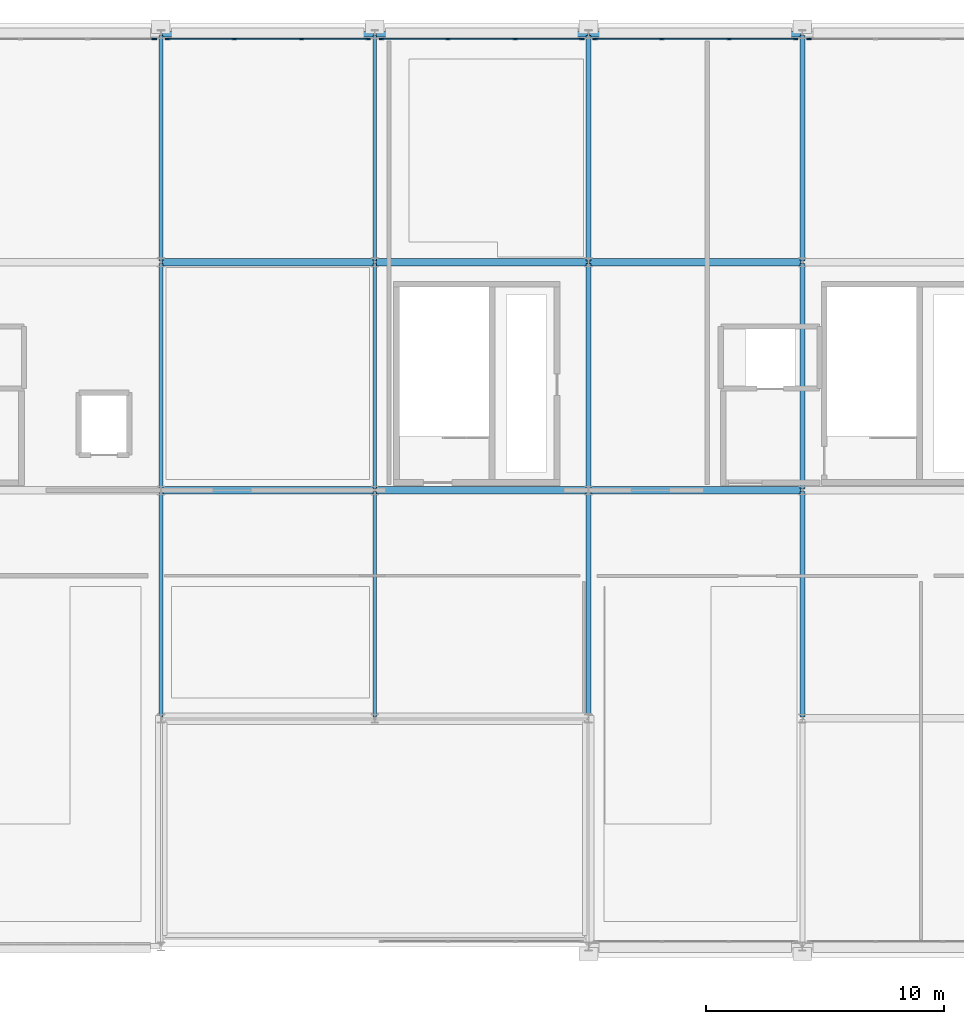
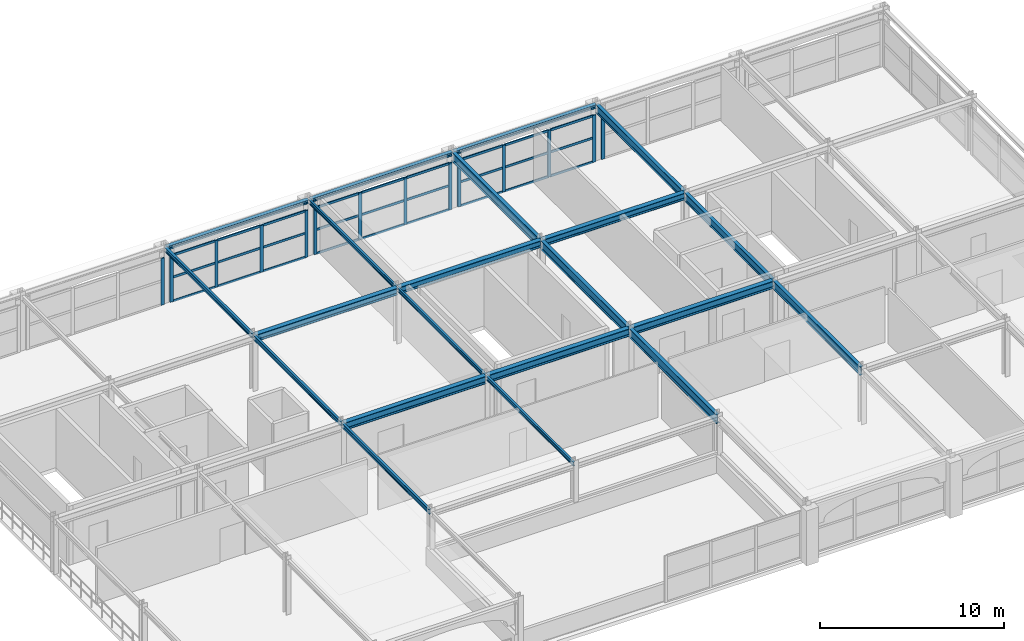
# One storey, part 14 of 25: 41 members, 21 beams, 5 elements without a shape of their own.
"""IFC4 building model written with IfcOpenShell, lengths in metres."""

import ifcopenshell
import ifcopenshell.guid

model = None  # the IFC model being written
_history = None  # IfcOwnerHistory: only IFC2X3 demands one
_inside = {}  # id of a spatial element -> (the spatial element, [elements in it])
_under = {}  # id of a project, library or spatial element -> (it, [spatial elements below it])
_declared = {}  # id of a project -> (the project, [libraries it declares])
_typed = {}  # id of a type object -> (the type object, [elements of that type])
_made_of = {}  # id of a material, layer set ... -> (it, [elements and type objects made of it])


def new_model(schema):
    """Start an empty IFC model of exactly this schema.

    Asked for "IFC4X3", IfcOpenShell would pick the latest addendum, in which some entities
    have other attributes; the version numbers below select the first issue.
    IFC2X3 requires an IfcOwnerHistory on every rooted entity: one is made here for all.
    """
    global model, _history
    if schema == "IFC4X3":
        model = ifcopenshell.file(schema_version=(4, 3, 0, 0))
    else:
        model = ifcopenshell.file(schema=schema)
    _inside.clear()
    _under.clear()
    _declared.clear()
    _typed.clear()
    _made_of.clear()
    _history = None
    if model.schema == "IFC2X3":
        org = make("IfcOrganization", Name="unknown")
        user = make(
            "IfcPersonAndOrganization",
            ThePerson=make("IfcPerson", FamilyName="unknown"),
            TheOrganization=org,
        )
        app = make(
            "IfcApplication",
            ApplicationDeveloper=org,
            Version="unknown",
            ApplicationFullName="unknown",
            ApplicationIdentifier="unknown",
        )
        _history = make(
            "IfcOwnerHistory",
            OwningUser=user,
            OwningApplication=app,
            ChangeAction="ADDED",
            CreationDate=0,
        )
    return model


def make(cls, **values):
    """One entity of the class cls with the attributes given. An attribute that is None is left unset."""
    return model.create_entity(
        cls, **{name: value for name, value in values.items() if value is not None}
    )


def rooted(cls, **values):
    """An entity with a GlobalId (a new one), such as an element, a storey or a relation."""
    return make(cls, GlobalId=ifcopenshell.guid.new(), OwnerHistory=_history, **values)


def si_unit(unit_type, name, prefix=None):
    """IfcSIUnit, for example si_unit("LENGTHUNIT", "METRE", prefix="MILLI")."""
    return make("IfcSIUnit", UnitType=unit_type, Prefix=prefix, Name=name)


def assignment(units):
    """IfcUnitAssignment: the units of a project."""
    return None if units is None else make("IfcUnitAssignment", Units=units)


def point(xyz):
    """IfcCartesianPoint."""
    return None if xyz is None else make("IfcCartesianPoint", Coordinates=xyz)


def direction(xyz):
    """IfcDirection."""
    return None if xyz is None else make("IfcDirection", DirectionRatios=xyz)


def frame(location, z_axis=None, x_axis=None):
    """IfcAxis2Placement3D, a coordinate frame: its origin and axes. An axis left out is left unset."""
    return make(
        "IfcAxis2Placement3D",
        Location=point(location),
        Axis=direction(z_axis),
        RefDirection=direction(x_axis),
    )


def frame_2d(location, x_axis=None):
    """IfcAxis2Placement2D, a coordinate frame in the plane: its origin and x axis."""
    return make(
        "IfcAxis2Placement2D", Location=point(location), RefDirection=direction(x_axis)
    )


def origin():
    """The frame at (0, 0, 0) with its axes left unset."""
    return frame((0.0, 0.0, 0.0))


def origin_2d():
    """The frame at (0, 0) in the plane with its x axis left unset."""
    return frame_2d((0.0, 0.0))


def place(relative_to, where):
    """IfcLocalPlacement: puts the frame where relative to a parent placement (None: the world)."""
    return make(
        "IfcLocalPlacement", PlacementRelTo=relative_to, RelativePlacement=where
    )


def context(
    kind, dimensions, precision=None, world=None, true_north=None, identifier=None
):
    """IfcGeometricRepresentationContext, for example the 3D "Model" context."""
    return make(
        "IfcGeometricRepresentationContext",
        ContextIdentifier=identifier,
        ContextType=kind,
        CoordinateSpaceDimension=dimensions,
        Precision=precision,
        WorldCoordinateSystem=world,
        TrueNorth=true_north,
    )


def subcontext(parent, identifier, kind, view, scale=None):
    """IfcGeometricRepresentationSubContext, for example "Body" below "Model"."""
    return make(
        "IfcGeometricRepresentationSubContext",
        ContextIdentifier=identifier,
        ContextType=kind,
        ParentContext=parent,
        TargetScale=scale,
        TargetView=view,
    )


def project(units=None, contexts=None):
    """IfcProject with its units and contexts."""
    return rooted(
        "IfcProject",
        Name="project",
        RepresentationContexts=contexts,
        UnitsInContext=assignment(units),
    )


def spatial(cls, under=None, at=None, **own):
    """A site, building, storey or space (cls), placed at a placement, below another one or the project."""
    s = rooted(cls, ObjectPlacement=at, **own)
    if under is not None:
        _under.setdefault(under.id(), (under, []))[1].append(s)
    return s


def profile(cls, at=None, kind="AREA", **sizes):
    """A parametric profile (cls). Its sizes go by their IFC names, for example OverallWidth=200.0."""
    return make(cls, ProfileType=kind, Position=at, **sizes)


def rectangle(**sizes):
    """IfcRectangleProfileDef."""
    return profile("IfcRectangleProfileDef", **sizes)


def i_section(**sizes):
    """IfcIShapeProfileDef."""
    return profile("IfcIShapeProfileDef", **sizes)


def extrude(swept, where, along, depth):
    """IfcExtrudedAreaSolid: the profile swept, set in the frame where, extruded along a direction by depth."""
    return make(
        "IfcExtrudedAreaSolid",
        SweptArea=swept,
        Position=where,
        ExtrudedDirection=direction(along),
        Depth=depth,
    )


def shape(context_of_items, identifier, shape_type, items):
    """IfcShapeRepresentation: the items that make up one representation, for example the "Body"."""
    return make(
        "IfcShapeRepresentation",
        ContextOfItems=context_of_items,
        RepresentationIdentifier=identifier,
        RepresentationType=shape_type,
        Items=items,
    )


def material(Name=None, Category=None):
    """IfcMaterial."""
    return make("IfcMaterial", Name=Name, Category=Category)


def layer(
    of_material, thickness, ventilated=None, Name=None, Category=None, Priority=None
):
    """IfcMaterialLayer: one layer of a wall or slab, of a material (None: an air gap)."""
    return make(
        "IfcMaterialLayer",
        Material=of_material,
        LayerThickness=thickness,
        IsVentilated=ventilated,
        Name=Name,
        Category=Category,
        Priority=Priority,
    )


def layer_set(layers, Name=None):
    """IfcMaterialLayerSet."""
    return make("IfcMaterialLayerSet", MaterialLayers=layers, LayerSetName=Name)


def material_profile(
    of_material, cross_section, Name=None, Category=None, Priority=None
):
    """IfcMaterialProfile: a cross section and its material."""
    return make(
        "IfcMaterialProfile",
        Name=Name,
        Material=of_material,
        Profile=cross_section,
        Priority=Priority,
        Category=Category,
    )


def profile_set(profiles, Name=None, composite=None):
    """IfcMaterialProfileSet."""
    return make(
        "IfcMaterialProfileSet",
        Name=Name,
        MaterialProfiles=profiles,
        CompositeProfile=composite,
    )


def made_of(thing, what):
    """Note that an element or type object is made of a material, layer set ...; save() writes the relation."""
    if what is not None:
        _made_of.setdefault(what.id(), (what, []))[1].append(thing)
    return thing


def type_object(cls, material=None, **own):
    """A type object (cls), such as IfcWallType, which elements share."""
    return made_of(rooted(cls, **own), material)


def element(
    cls,
    number,
    at=None,
    inside=None,
    cuts=None,
    type_object=None,
    material=None,
    context=None,
    identifier="Body",
    shape_type=None,
    held_by="IfcProductDefinitionShape",
    body=None,
    shapes=None,
    **own,
):
    """One element of the class cls, such as IfcWall. Its Tag is "e" and its number.

    at: its placement. inside: the storey or other place that contains it. cuts: it is an
    opening in that element (IfcRelVoidsElement). A single representation is given by context,
    identifier, shape_type and body (its items); several are given by shapes. held_by: the class
    of the entity that holds the representations. save() writes the other relations.
    """
    e = rooted(cls, Tag="e%d" % number, ObjectPlacement=at, **own)
    if body is not None:
        shapes = [shape(context, identifier, shape_type, body)]
    if shapes is not None:
        e.Representation = make(held_by, Representations=shapes)
    if inside is not None:
        _inside.setdefault(inside.id(), (inside, []))[1].append(e)
    if cuts is not None:
        rooted(
            "IfcRelVoidsElement", RelatingBuildingElement=cuts, RelatedOpeningElement=e
        )
    if type_object is not None:
        _typed.setdefault(type_object.id(), (type_object, []))[1].append(e)
    return made_of(e, material)


def aggregate(whole, parts):
    """IfcRelAggregates: a whole, such as a stair, and the parts it consists of."""
    return rooted("IfcRelAggregates", RelatingObject=whole, RelatedObjects=parts)


def save(model, path):
    """Write the relations noted so far, then the file.

    IfcRelAggregates (storeys below a building ...), IfcRelContainedInSpatialStructure (elements
    in a storey), IfcRelDefinesByType, IfcRelAssociatesMaterial and IfcRelDeclares: one each for
    every whole, place, type object, material and project.
    """
    for whole, parts in _under.values():
        aggregate(whole, parts)
    for where, things in _inside.values():
        rooted(
            "IfcRelContainedInSpatialStructure",
            RelatedElements=things,
            RelatingStructure=where,
        )
    for kind, things in _typed.values():
        rooted("IfcRelDefinesByType", RelatedObjects=things, RelatingType=kind)
    for what, things in _made_of.values():
        rooted("IfcRelAssociatesMaterial", RelatedObjects=things, RelatingMaterial=what)
    for by, libraries in _declared.values():
        rooted("IfcRelDeclares", RelatingContext=by, RelatedDefinitions=libraries)
    model.write(path)


model = new_model("IFC4")

# Units and contexts
model_context = context("Model", 3, precision=1e-05, world=origin(), true_north=direction((0.0, 1.0)))
body_context = subcontext(model_context, "Body", "Model", "MODEL_VIEW")
ifc_project = project(units=[si_unit("LENGTHUNIT", "METRE"), si_unit("AREAUNIT", "SQUARE_METRE"), si_unit("VOLUMEUNIT", "CUBIC_METRE"), si_unit("PLANEANGLEUNIT", "RADIAN"), si_unit("MASSUNIT", "GRAM", prefix="KILO")], contexts=[model_context])

# Site, building, storey
site_placement = place(None, origin())
site = spatial("IfcSite", under=ifc_project, at=site_placement, CompositionType="ELEMENT")
building_placement = place(site_placement, origin())
building = spatial("IfcBuilding", under=site, at=building_placement, Name="Myrtia Square Station", CompositionType="ELEMENT")
storey_placement = place(building_placement, frame((0.0, 0.0, 18.89990234375)))
storey = spatial("IfcBuildingStorey", under=building, at=storey_placement, Name="L04", CompositionType="ELEMENT", Elevation=18.89990234375)

# Beams
ifc_material_1 = material(Name="Steel S355", Category="steel")
ifc_material_profile_1 = material_profile(ifc_material_1, i_section(OverallWidth=0.300048828125, OverallDepth=0.449951171875, WebThickness=0.013916015625, FlangeThickness=0.02587890625, FilletRadius=0.027099609375, at=origin_2d()), Name="HEB 450")
ifc_profile_set_1 = profile_set([ifc_material_profile_1], Name="Steel S355")
beam_type_1 = type_object("IfcBeamType", Name="BM-HEB450", PredefinedType="BEAM", material=ifc_profile_set_1)
for number, where, z_axis, x_axis, name in (
    (1, (144.050048828125, 115.199951171875, 3.43017578125), (1.0, 0.0, 0.0), (0.0, 1.0, 0.0), "Structural girder BMX-L04-0889"),
    (2, (153.050048828125, 115.199951171875, 3.43017578125), (1.0, 0.0, 0.0), (0.0, 1.0, 0.0), "Structural girder BMX-L04-0890"),
    (3, (162.050048828125, 115.199951171875, 3.43017578125), (1.0, 0.0, 0.0), (0.0, 1.0, 0.0), "Structural girder BMX-L04-0891"),
):
    element("IfcBeam", number, at=place(storey_placement, frame(where, z_axis=z_axis, x_axis=x_axis)), inside=storey, type_object=beam_type_1, Name=name, PredefinedType="BEAM", context=body_context, shape_type="SweptSolid", body=[
        extrude(i_section(OverallWidth=0.300048828125, OverallDepth=0.449951171875, WebThickness=0.013916015625, FlangeThickness=0.02587890625, FilletRadius=0.027099609375, at=origin_2d()), origin(), (0.0, 0.0, 1.0), 8.89990234375),
    ])
ifc_material_profile_2 = material_profile(ifc_material_1, i_section(OverallWidth=0.300048828125, OverallDepth=0.5, WebThickness=0.014404296875, FlangeThickness=0.028076171875, FilletRadius=0.027099609375, at=origin_2d()), Name="HEB 500")
ifc_profile_set_2 = profile_set([ifc_material_profile_2], Name="Steel S355")
beam_type_2 = type_object("IfcBeamType", Name="BM-HEB500", PredefinedType="BEAM", material=ifc_profile_set_2)
for number, where, z_axis, x_axis, name in (
    (4, (144.050048828125, 105.60009765625, 3.405029296875), (1.0, 0.0, 0.0), (0.0, 1.0, 0.0), "Structural girder BMX-L04-0882"),
    (5, (153.050048828125, 105.60009765625, 3.405029296875), (1.0, 0.0, 0.0), (0.0, 1.0, 0.0), "Structural girder BMX-L04-0883"),
    (6, (162.050048828125, 105.60009765625, 3.405029296875), (1.0, 0.0, 0.0), (0.0, 1.0, 0.0), "Structural girder BMX-L04-0884"),
):
    element("IfcBeam", number, at=place(storey_placement, frame(where, z_axis=z_axis, x_axis=x_axis)), inside=storey, type_object=beam_type_2, Name=name, PredefinedType="BEAM", context=body_context, shape_type="SweptSolid", body=[
        extrude(i_section(OverallWidth=0.300048828125, OverallDepth=0.5, WebThickness=0.014404296875, FlangeThickness=0.028076171875, FilletRadius=0.027099609375, at=origin_2d()), origin(), (0.0, 0.0, 1.0), 8.89990234375),
    ])
ifc_material_profile_3 = material_profile(ifc_material_1, i_section(OverallWidth=0.135009765625, OverallDepth=0.27001953125, WebThickness=0.006591796875, FlangeThickness=0.01025390625, FilletRadius=0.014892578125, at=origin_2d()), Name="IPE 270")
ifc_profile_set_3 = profile_set([ifc_material_profile_3], Name="Steel S355")
beam_type_3 = type_object("IfcBeamType", Name="BM-IPE270", PredefinedType="BEAM", material=ifc_profile_set_3)
for number, where, z_axis, x_axis, name in (
    (7, (153.0, 96.050048828125, 3.52001953125), (0.0, 1.0, 0.0), (-1.0, 0.0, 0.0), "Structural girder BMY-L04-0906"),
    (8, (153.0, 105.64990234375, 3.52001953125), (0.0, 1.0, 0.0), (-1.0, 0.0, 0.0), "Structural girder BMY-L04-0907"),
    (9, (153.0, 115.25, 3.52001953125), (0.0, 1.0, 0.0), (-1.0, 0.0, 0.0), "Structural girder BMY-L04-0908"),
):
    element("IfcBeam", number, at=place(storey_placement, frame(where, z_axis=z_axis, x_axis=x_axis)), inside=storey, type_object=beam_type_3, Name=name, PredefinedType="BEAM", context=body_context, shape_type="SweptSolid", body=[
        extrude(i_section(OverallWidth=0.135009765625, OverallDepth=0.27001953125, WebThickness=0.006591796875, FlangeThickness=0.01025390625, FilletRadius=0.014892578125, at=origin_2d()), origin(), (0.0, 0.0, 1.0), 9.5),
    ])
ifc_material_profile_4 = material_profile(ifc_material_1, i_section(OverallWidth=0.14990234375, OverallDepth=0.300048828125, WebThickness=0.007080078125, FlangeThickness=0.0107421875, FilletRadius=0.014892578125, at=origin_2d()), Name="IPE 300")
ifc_profile_set_4 = profile_set([ifc_material_profile_4], Name="Steel S355")
beam_type_4 = type_object("IfcBeamType", Name="BM-IPE300", PredefinedType="BEAM", material=ifc_profile_set_4)
for number, where, z_axis, x_axis, name in (
    (10, (144.0, 96.050048828125, 3.505126953125), (0.0, 1.0, 0.0), (-1.0, 0.0, 0.0), "Structural girder BMY-L04-0903"),
    (11, (144.0, 105.64990234375, 3.505126953125), (0.0, 1.0, 0.0), (-1.0, 0.0, 0.0), "Structural girder BMY-L04-0904"),
    (12, (144.0, 115.25, 3.505126953125), (0.0, 1.0, 0.0), (-1.0, 0.0, 0.0), "Structural girder BMY-L04-0905"),
):
    element("IfcBeam", number, at=place(storey_placement, frame(where, z_axis=z_axis, x_axis=x_axis)), inside=storey, type_object=beam_type_4, Name=name, PredefinedType="BEAM", context=body_context, shape_type="SweptSolid", body=[
        extrude(i_section(OverallWidth=0.14990234375, OverallDepth=0.300048828125, WebThickness=0.007080078125, FlangeThickness=0.0107421875, FilletRadius=0.014892578125, at=origin_2d()), origin(), (0.0, 0.0, 1.0), 9.5),
    ])
ifc_material_profile_5 = material_profile(ifc_material_1, i_section(OverallWidth=0.2099609375, OverallDepth=0.550048828125, WebThickness=0.010986328125, FlangeThickness=0.01708984375, FilletRadius=0.02392578125, at=origin_2d()), Name="IPE 550")
ifc_profile_set_5 = profile_set([ifc_material_profile_5], Name="Steel S355")
beam_type_5 = type_object("IfcBeamType", Name="BM-IPE550", PredefinedType="BEAM", material=ifc_profile_set_5)
for number, where, z_axis, x_axis, name in (
    (13, (171.0, 96.050048828125, 3.380126953125), (0.0, 1.0, 0.0), (-1.0, 0.0, 0.0), "Structural girder BMY-L04-0914"),
    (14, (171.0, 105.64990234375, 3.380126953125), (0.0, 1.0, 0.0), (-1.0, 0.0, 0.0), "Structural girder BMY-L04-0915"),
    (15, (171.0, 115.25, 3.380126953125), (0.0, 1.0, 0.0), (-1.0, 0.0, 0.0), "Structural girder BMY-L04-0916"),
):
    element("IfcBeam", number, at=place(storey_placement, frame(where, z_axis=z_axis, x_axis=x_axis)), inside=storey, type_object=beam_type_5, Name=name, PredefinedType="BEAM", context=body_context, shape_type="SweptSolid", body=[
        extrude(i_section(OverallWidth=0.2099609375, OverallDepth=0.550048828125, WebThickness=0.010986328125, FlangeThickness=0.01708984375, FilletRadius=0.02392578125, at=origin_2d()), origin(), (0.0, 0.0, 1.0), 9.5),
    ])
ifc_material_profile_6 = material_profile(ifc_material_1, i_section(OverallWidth=0.219970703125, OverallDepth=0.60009765625, WebThickness=0.011962890625, FlangeThickness=0.01904296875, FilletRadius=0.02392578125, at=origin_2d()), Name="IPE 600")
ifc_profile_set_6 = profile_set([ifc_material_profile_6], Name="Steel S355")
beam_type_6 = type_object("IfcBeamType", Name="BM-IPE600", PredefinedType="BEAM", material=ifc_profile_set_6)
for number, where, z_axis, x_axis, name in (
    (16, (162.0, 96.050048828125, 3.35498046875), (0.0, 1.0, 0.0), (-1.0, 0.0, 0.0), "Structural girder BMY-L04-0910"),
    (17, (162.0, 105.64990234375, 3.35498046875), (0.0, 1.0, 0.0), (-1.0, 0.0, 0.0), "Structural girder BMY-L04-0911"),
    (18, (162.0, 115.25, 3.35498046875), (0.0, 1.0, 0.0), (-1.0, 0.0, 0.0), "Structural girder BMY-L04-0912"),
):
    element("IfcBeam", number, at=place(storey_placement, frame(where, z_axis=z_axis, x_axis=x_axis)), inside=storey, type_object=beam_type_6, Name=name, PredefinedType="BEAM", context=body_context, shape_type="SweptSolid", body=[
        extrude(i_section(OverallWidth=0.219970703125, OverallDepth=0.60009765625, WebThickness=0.011962890625, FlangeThickness=0.01904296875, FilletRadius=0.02392578125, at=origin_2d()), origin(), (0.0, 0.0, 1.0), 9.5),
    ])

# Curtain wall, member
ifc_material_2 = material(Name="Dark bronze anodised aluminium", Category="aluminium")
ifc_layer = layer(ifc_material_2, 0.159912109375, Name="Dark bronze anodised aluminium")
ifc_layer_set = layer_set([ifc_layer], Name="Dark bronze anodised aluminium")
curtain_wall_type = type_object("IfcCurtainWallType", Name="CW-TYPE-42-850x310", PredefinedType="USERDEFINED", material=ifc_layer_set)
curtain_wall_1_placement = place(storey_placement, origin())
curtain_wall_1 = element("IfcCurtainWall", 19, at=curtain_wall_1_placement, inside=storey, type_object=curtain_wall_type, Name="Concourse curtain wall CW-L04-126", ObjectType="CONCOURSE CURTAIN WALL", PredefinedType="USERDEFINED")
ifc_material_profile_7 = material_profile(ifc_material_2, rectangle(XDim=0.06494140625, YDim=0.199951171875, at=origin_2d()), Name="ALU-M 65x200")
ifc_profile_set_7 = profile_set([ifc_material_profile_7], Name="Dark bronze anodised aluminium")
member_type_1 = type_object("IfcMemberType", Name="CWM-65x200", PredefinedType="MULLION", material=ifc_profile_set_7)
member_1_placement = place(storey_placement, frame((143.717529296875, 124.60009765625, 0.0), z_axis=(0.0, 0.0, 1.0), x_axis=(0.0, 1.0, 0.0)))
member_1 = element("IfcMember", 20, at=member_1_placement, type_object=member_type_1, Name="CW-126 mullion 4", PredefinedType="MULLION", context=body_context, shape_type="SweptSolid", body=[
    extrude(rectangle(XDim=0.06494140625, YDim=0.199951171875, at=origin_2d()), origin(), (0.0, 0.0, 1.0), 3.10009765625),
])
aggregate(curtain_wall_1, [member_1])

# Curtain wall, members
curtain_wall_2_placement = place(storey_placement, origin())
curtain_wall_2 = element("IfcCurtainWall", 21, at=curtain_wall_2_placement, inside=storey, type_object=curtain_wall_type, Name="Concourse curtain wall CW-L04-130", ObjectType="CONCOURSE CURTAIN WALL", PredefinedType="USERDEFINED")
member_2_placement = place(storey_placement, frame((144.282470703125, 124.60009765625, 0.0), z_axis=(0.0, 0.0, 1.0), x_axis=(0.0, 1.0, 0.0)))
member_2 = element("IfcMember", 22, at=member_2_placement, type_object=member_type_1, Name="CW-130 mullion 1", PredefinedType="MULLION", context=body_context, shape_type="SweptSolid", body=[
    extrude(rectangle(XDim=0.06494140625, YDim=0.199951171875, at=origin_2d()), origin(), (0.0, 0.0, 1.0), 3.10009765625),
])
member_3_placement = place(storey_placement, frame((147.083251953125, 124.60009765625, 0.0), z_axis=(0.0, 0.0, 1.0), x_axis=(0.0, 1.0, 0.0)))
member_3 = element("IfcMember", 23, at=member_3_placement, type_object=member_type_1, Name="CW-130 mullion 2", PredefinedType="MULLION", context=body_context, shape_type="SweptSolid", body=[
    extrude(rectangle(XDim=0.06494140625, YDim=0.199951171875, at=origin_2d()), origin(), (0.0, 0.0, 1.0), 3.10009765625),
])
member_4_placement = place(storey_placement, frame((149.916748046875, 124.60009765625, 0.0), z_axis=(0.0, 0.0, 1.0), x_axis=(0.0, 1.0, 0.0)))
member_4 = element("IfcMember", 24, at=member_4_placement, type_object=member_type_1, Name="CW-130 mullion 3", PredefinedType="MULLION", context=body_context, shape_type="SweptSolid", body=[
    extrude(rectangle(XDim=0.06494140625, YDim=0.199951171875, at=origin_2d()), origin(), (0.0, 0.0, 1.0), 3.10009765625),
])
member_5_placement = place(storey_placement, frame((152.717529296875, 124.60009765625, 0.0), z_axis=(0.0, 0.0, 1.0), x_axis=(0.0, 1.0, 0.0)))
member_5 = element("IfcMember", 25, at=member_5_placement, type_object=member_type_1, Name="CW-130 mullion 4", PredefinedType="MULLION", context=body_context, shape_type="SweptSolid", body=[
    extrude(rectangle(XDim=0.06494140625, YDim=0.199951171875, at=origin_2d()), origin(), (0.0, 0.0, 1.0), 3.10009765625),
])

curtain_wall_3_placement = place(storey_placement, origin())
curtain_wall_3 = element("IfcCurtainWall", 26, at=curtain_wall_3_placement, inside=storey, type_object=curtain_wall_type, Name="Concourse curtain wall CW-L04-134", ObjectType="CONCOURSE CURTAIN WALL", PredefinedType="USERDEFINED")
member_6_placement = place(storey_placement, frame((153.282470703125, 124.60009765625, 0.0), z_axis=(0.0, 0.0, 1.0), x_axis=(0.0, 1.0, 0.0)))
member_6 = element("IfcMember", 27, at=member_6_placement, type_object=member_type_1, Name="CW-134 mullion 1", PredefinedType="MULLION", context=body_context, shape_type="SweptSolid", body=[
    extrude(rectangle(XDim=0.06494140625, YDim=0.199951171875, at=origin_2d()), origin(), (0.0, 0.0, 1.0), 3.10009765625),
])
member_7_placement = place(storey_placement, frame((156.083251953125, 124.60009765625, 0.0), z_axis=(0.0, 0.0, 1.0), x_axis=(0.0, 1.0, 0.0)))
member_7 = element("IfcMember", 28, at=member_7_placement, type_object=member_type_1, Name="CW-134 mullion 2", PredefinedType="MULLION", context=body_context, shape_type="SweptSolid", body=[
    extrude(rectangle(XDim=0.06494140625, YDim=0.199951171875, at=origin_2d()), origin(), (0.0, 0.0, 1.0), 3.10009765625),
])
member_8_placement = place(storey_placement, frame((158.916748046875, 124.60009765625, 0.0), z_axis=(0.0, 0.0, 1.0), x_axis=(0.0, 1.0, 0.0)))
member_8 = element("IfcMember", 29, at=member_8_placement, type_object=member_type_1, Name="CW-134 mullion 3", PredefinedType="MULLION", context=body_context, shape_type="SweptSolid", body=[
    extrude(rectangle(XDim=0.06494140625, YDim=0.199951171875, at=origin_2d()), origin(), (0.0, 0.0, 1.0), 3.10009765625),
])
member_9_placement = place(storey_placement, frame((161.717529296875, 124.60009765625, 0.0), z_axis=(0.0, 0.0, 1.0), x_axis=(0.0, 1.0, 0.0)))
member_9 = element("IfcMember", 30, at=member_9_placement, type_object=member_type_1, Name="CW-134 mullion 4", PredefinedType="MULLION", context=body_context, shape_type="SweptSolid", body=[
    extrude(rectangle(XDim=0.06494140625, YDim=0.199951171875, at=origin_2d()), origin(), (0.0, 0.0, 1.0), 3.10009765625),
])

curtain_wall_4_placement = place(storey_placement, origin())
curtain_wall_4 = element("IfcCurtainWall", 31, at=curtain_wall_4_placement, inside=storey, type_object=curtain_wall_type, Name="Concourse curtain wall CW-L04-139", ObjectType="CONCOURSE CURTAIN WALL", PredefinedType="USERDEFINED")
member_10_placement = place(storey_placement, frame((162.282470703125, 124.60009765625, 0.0), z_axis=(0.0, 0.0, 1.0), x_axis=(0.0, 1.0, 0.0)))
member_10 = element("IfcMember", 32, at=member_10_placement, type_object=member_type_1, Name="CW-139 mullion 1", PredefinedType="MULLION", context=body_context, shape_type="SweptSolid", body=[
    extrude(rectangle(XDim=0.06494140625, YDim=0.199951171875, at=origin_2d()), origin(), (0.0, 0.0, 1.0), 3.10009765625),
])
member_11_placement = place(storey_placement, frame((165.083251953125, 124.60009765625, 0.0), z_axis=(0.0, 0.0, 1.0), x_axis=(0.0, 1.0, 0.0)))
member_11 = element("IfcMember", 33, at=member_11_placement, type_object=member_type_1, Name="CW-139 mullion 2", PredefinedType="MULLION", context=body_context, shape_type="SweptSolid", body=[
    extrude(rectangle(XDim=0.06494140625, YDim=0.199951171875, at=origin_2d()), origin(), (0.0, 0.0, 1.0), 3.10009765625),
])
member_12_placement = place(storey_placement, frame((167.916748046875, 124.60009765625, 0.0), z_axis=(0.0, 0.0, 1.0), x_axis=(0.0, 1.0, 0.0)))
member_12 = element("IfcMember", 34, at=member_12_placement, type_object=member_type_1, Name="CW-139 mullion 3", PredefinedType="MULLION", context=body_context, shape_type="SweptSolid", body=[
    extrude(rectangle(XDim=0.06494140625, YDim=0.199951171875, at=origin_2d()), origin(), (0.0, 0.0, 1.0), 3.10009765625),
])
member_13_placement = place(storey_placement, frame((170.717529296875, 124.60009765625, 0.0), z_axis=(0.0, 0.0, 1.0), x_axis=(0.0, 1.0, 0.0)))
member_13 = element("IfcMember", 35, at=member_13_placement, type_object=member_type_1, Name="CW-139 mullion 4", PredefinedType="MULLION", context=body_context, shape_type="SweptSolid", body=[
    extrude(rectangle(XDim=0.06494140625, YDim=0.199951171875, at=origin_2d()), origin(), (0.0, 0.0, 1.0), 3.10009765625),
])

# Curtain wall, member
curtain_wall_5_placement = place(storey_placement, origin())
curtain_wall_5 = element("IfcCurtainWall", 36, at=curtain_wall_5_placement, inside=storey, type_object=curtain_wall_type, Name="Concourse curtain wall CW-L04-144", ObjectType="CONCOURSE CURTAIN WALL", PredefinedType="USERDEFINED")
member_14_placement = place(storey_placement, frame((171.282470703125, 124.60009765625, 0.0), z_axis=(0.0, 0.0, 1.0), x_axis=(0.0, 1.0, 0.0)))
member_14 = element("IfcMember", 37, at=member_14_placement, type_object=member_type_1, Name="CW-144 mullion 1", PredefinedType="MULLION", context=body_context, shape_type="SweptSolid", body=[
    extrude(rectangle(XDim=0.06494140625, YDim=0.199951171875, at=origin_2d()), origin(), (0.0, 0.0, 1.0), 3.10009765625),
])
aggregate(curtain_wall_5, [member_14])

# Member
ifc_material_profile_8 = material_profile(ifc_material_2, rectangle(XDim=0.06494140625, YDim=0.14990234375, at=origin_2d()), Name="ALU-T 65x150")
ifc_profile_set_8 = profile_set([ifc_material_profile_8], Name="Dark bronze anodised aluminium")
member_type_2 = type_object("IfcMemberType", Name="CWT-65x150", PredefinedType="USERDEFINED", material=ifc_profile_set_8)
member_15_placement = place(storey_placement, frame((144.31494140625, 124.60009765625, 0.03271484375), z_axis=(1.0, 0.0, 0.0), x_axis=(0.0, 1.0, 0.0)))
member_15 = element("IfcMember", 38, at=member_15_placement, type_object=member_type_2, Name="CW-130 transom 1.1", ObjectType="TRANSOM", PredefinedType="USERDEFINED", context=body_context, shape_type="SweptSolid", body=[
    extrude(rectangle(XDim=0.06494140625, YDim=0.14990234375, at=origin_2d()), origin(), (0.0, 0.0, 1.0), 2.73583984375),
])

member_16_placement = place(storey_placement, frame((144.31494140625, 124.60009765625, 1.612060546875), z_axis=(1.0, 0.0, 0.0), x_axis=(0.0, 1.0, 0.0)))
member_16 = element("IfcMember", 39, at=member_16_placement, type_object=member_type_2, Name="CW-130 transom 1.2", ObjectType="TRANSOM", PredefinedType="USERDEFINED", context=body_context, shape_type="SweptSolid", body=[
    extrude(rectangle(XDim=0.06494140625, YDim=0.14990234375, at=origin_2d()), origin(), (0.0, 0.0, 1.0), 2.73583984375),
])

member_17_placement = place(storey_placement, frame((144.31494140625, 124.60009765625, 3.067626953125), z_axis=(1.0, 0.0, 0.0), x_axis=(0.0, 1.0, 0.0)))
member_17 = element("IfcMember", 40, at=member_17_placement, type_object=member_type_2, Name="CW-130 transom 1.3", ObjectType="TRANSOM", PredefinedType="USERDEFINED", context=body_context, shape_type="SweptSolid", body=[
    extrude(rectangle(XDim=0.06494140625, YDim=0.14990234375, at=origin_2d()), origin(), (0.0, 0.0, 1.0), 2.73583984375),
])

member_18_placement = place(storey_placement, frame((147.11572265625, 124.60009765625, 0.03271484375), z_axis=(1.0, 0.0, 0.0), x_axis=(0.0, 1.0, 0.0)))
member_18 = element("IfcMember", 41, at=member_18_placement, type_object=member_type_2, Name="CW-130 transom 2.1", ObjectType="TRANSOM", PredefinedType="USERDEFINED", context=body_context, shape_type="SweptSolid", body=[
    extrude(rectangle(XDim=0.06494140625, YDim=0.14990234375, at=origin_2d()), origin(), (0.0, 0.0, 1.0), 2.7685546875),
])

member_19_placement = place(storey_placement, frame((147.11572265625, 124.60009765625, 1.612060546875), z_axis=(1.0, 0.0, 0.0), x_axis=(0.0, 1.0, 0.0)))
member_19 = element("IfcMember", 42, at=member_19_placement, type_object=member_type_2, Name="CW-130 transom 2.2", ObjectType="TRANSOM", PredefinedType="USERDEFINED", context=body_context, shape_type="SweptSolid", body=[
    extrude(rectangle(XDim=0.06494140625, YDim=0.14990234375, at=origin_2d()), origin(), (0.0, 0.0, 1.0), 2.7685546875),
])

member_20_placement = place(storey_placement, frame((147.11572265625, 124.60009765625, 3.067626953125), z_axis=(1.0, 0.0, 0.0), x_axis=(0.0, 1.0, 0.0)))
member_20 = element("IfcMember", 43, at=member_20_placement, type_object=member_type_2, Name="CW-130 transom 2.3", ObjectType="TRANSOM", PredefinedType="USERDEFINED", context=body_context, shape_type="SweptSolid", body=[
    extrude(rectangle(XDim=0.06494140625, YDim=0.14990234375, at=origin_2d()), origin(), (0.0, 0.0, 1.0), 2.7685546875),
])

member_21_placement = place(storey_placement, frame((149.94921875, 124.60009765625, 0.03271484375), z_axis=(1.0, 0.0, 0.0), x_axis=(0.0, 1.0, 0.0)))
member_21 = element("IfcMember", 44, at=member_21_placement, type_object=member_type_2, Name="CW-130 transom 3.1", ObjectType="TRANSOM", PredefinedType="USERDEFINED", context=body_context, shape_type="SweptSolid", body=[
    extrude(rectangle(XDim=0.06494140625, YDim=0.14990234375, at=origin_2d()), origin(), (0.0, 0.0, 1.0), 2.73583984375),
])

member_22_placement = place(storey_placement, frame((149.94921875, 124.60009765625, 1.612060546875), z_axis=(1.0, 0.0, 0.0), x_axis=(0.0, 1.0, 0.0)))
member_22 = element("IfcMember", 45, at=member_22_placement, type_object=member_type_2, Name="CW-130 transom 3.2", ObjectType="TRANSOM", PredefinedType="USERDEFINED", context=body_context, shape_type="SweptSolid", body=[
    extrude(rectangle(XDim=0.06494140625, YDim=0.14990234375, at=origin_2d()), origin(), (0.0, 0.0, 1.0), 2.73583984375),
])

member_23_placement = place(storey_placement, frame((149.94921875, 124.60009765625, 3.067626953125), z_axis=(1.0, 0.0, 0.0), x_axis=(0.0, 1.0, 0.0)))
member_23 = element("IfcMember", 46, at=member_23_placement, type_object=member_type_2, Name="CW-130 transom 3.3", ObjectType="TRANSOM", PredefinedType="USERDEFINED", context=body_context, shape_type="SweptSolid", body=[
    extrude(rectangle(XDim=0.06494140625, YDim=0.14990234375, at=origin_2d()), origin(), (0.0, 0.0, 1.0), 2.73583984375),
])

aggregate(curtain_wall_2, [member_2, member_3, member_4, member_5, member_15, member_16, member_17, member_18, member_19, member_20, member_21, member_22, member_23])

member_24_placement = place(storey_placement, frame((153.31494140625, 124.60009765625, 0.03271484375), z_axis=(1.0, 0.0, 0.0), x_axis=(0.0, 1.0, 0.0)))
member_24 = element("IfcMember", 47, at=member_24_placement, type_object=member_type_2, Name="CW-134 transom 1.1", ObjectType="TRANSOM", PredefinedType="USERDEFINED", context=body_context, shape_type="SweptSolid", body=[
    extrude(rectangle(XDim=0.06494140625, YDim=0.14990234375, at=origin_2d()), origin(), (0.0, 0.0, 1.0), 2.73583984375),
])

member_25_placement = place(storey_placement, frame((153.31494140625, 124.60009765625, 1.612060546875), z_axis=(1.0, 0.0, 0.0), x_axis=(0.0, 1.0, 0.0)))
member_25 = element("IfcMember", 48, at=member_25_placement, type_object=member_type_2, Name="CW-134 transom 1.2", ObjectType="TRANSOM", PredefinedType="USERDEFINED", context=body_context, shape_type="SweptSolid", body=[
    extrude(rectangle(XDim=0.06494140625, YDim=0.14990234375, at=origin_2d()), origin(), (0.0, 0.0, 1.0), 2.73583984375),
])

member_26_placement = place(storey_placement, frame((153.31494140625, 124.60009765625, 3.067626953125), z_axis=(1.0, 0.0, 0.0), x_axis=(0.0, 1.0, 0.0)))
member_26 = element("IfcMember", 49, at=member_26_placement, type_object=member_type_2, Name="CW-134 transom 1.3", ObjectType="TRANSOM", PredefinedType="USERDEFINED", context=body_context, shape_type="SweptSolid", body=[
    extrude(rectangle(XDim=0.06494140625, YDim=0.14990234375, at=origin_2d()), origin(), (0.0, 0.0, 1.0), 2.73583984375),
])

member_27_placement = place(storey_placement, frame((156.11572265625, 124.60009765625, 0.03271484375), z_axis=(1.0, 0.0, 0.0), x_axis=(0.0, 1.0, 0.0)))
member_27 = element("IfcMember", 50, at=member_27_placement, type_object=member_type_2, Name="CW-134 transom 2.1", ObjectType="TRANSOM", PredefinedType="USERDEFINED", context=body_context, shape_type="SweptSolid", body=[
    extrude(rectangle(XDim=0.06494140625, YDim=0.14990234375, at=origin_2d()), origin(), (0.0, 0.0, 1.0), 2.7685546875),
])

member_28_placement = place(storey_placement, frame((156.11572265625, 124.60009765625, 1.612060546875), z_axis=(1.0, 0.0, 0.0), x_axis=(0.0, 1.0, 0.0)))
member_28 = element("IfcMember", 51, at=member_28_placement, type_object=member_type_2, Name="CW-134 transom 2.2", ObjectType="TRANSOM", PredefinedType="USERDEFINED", context=body_context, shape_type="SweptSolid", body=[
    extrude(rectangle(XDim=0.06494140625, YDim=0.14990234375, at=origin_2d()), origin(), (0.0, 0.0, 1.0), 2.7685546875),
])

member_29_placement = place(storey_placement, frame((156.11572265625, 124.60009765625, 3.067626953125), z_axis=(1.0, 0.0, 0.0), x_axis=(0.0, 1.0, 0.0)))
member_29 = element("IfcMember", 52, at=member_29_placement, type_object=member_type_2, Name="CW-134 transom 2.3", ObjectType="TRANSOM", PredefinedType="USERDEFINED", context=body_context, shape_type="SweptSolid", body=[
    extrude(rectangle(XDim=0.06494140625, YDim=0.14990234375, at=origin_2d()), origin(), (0.0, 0.0, 1.0), 2.7685546875),
])

member_30_placement = place(storey_placement, frame((158.94921875, 124.60009765625, 0.03271484375), z_axis=(1.0, 0.0, 0.0), x_axis=(0.0, 1.0, 0.0)))
member_30 = element("IfcMember", 53, at=member_30_placement, type_object=member_type_2, Name="CW-134 transom 3.1", ObjectType="TRANSOM", PredefinedType="USERDEFINED", context=body_context, shape_type="SweptSolid", body=[
    extrude(rectangle(XDim=0.06494140625, YDim=0.14990234375, at=origin_2d()), origin(), (0.0, 0.0, 1.0), 2.73583984375),
])

member_31_placement = place(storey_placement, frame((158.94921875, 124.60009765625, 1.612060546875), z_axis=(1.0, 0.0, 0.0), x_axis=(0.0, 1.0, 0.0)))
member_31 = element("IfcMember", 54, at=member_31_placement, type_object=member_type_2, Name="CW-134 transom 3.2", ObjectType="TRANSOM", PredefinedType="USERDEFINED", context=body_context, shape_type="SweptSolid", body=[
    extrude(rectangle(XDim=0.06494140625, YDim=0.14990234375, at=origin_2d()), origin(), (0.0, 0.0, 1.0), 2.73583984375),
])

member_32_placement = place(storey_placement, frame((158.94921875, 124.60009765625, 3.067626953125), z_axis=(1.0, 0.0, 0.0), x_axis=(0.0, 1.0, 0.0)))
member_32 = element("IfcMember", 55, at=member_32_placement, type_object=member_type_2, Name="CW-134 transom 3.3", ObjectType="TRANSOM", PredefinedType="USERDEFINED", context=body_context, shape_type="SweptSolid", body=[
    extrude(rectangle(XDim=0.06494140625, YDim=0.14990234375, at=origin_2d()), origin(), (0.0, 0.0, 1.0), 2.73583984375),
])

aggregate(curtain_wall_3, [member_6, member_7, member_8, member_9, member_24, member_25, member_26, member_27, member_28, member_29, member_30, member_31, member_32])

member_33_placement = place(storey_placement, frame((162.31494140625, 124.60009765625, 0.03271484375), z_axis=(1.0, 0.0, 0.0), x_axis=(0.0, 1.0, 0.0)))
member_33 = element("IfcMember", 56, at=member_33_placement, type_object=member_type_2, Name="CW-139 transom 1.1", ObjectType="TRANSOM", PredefinedType="USERDEFINED", context=body_context, shape_type="SweptSolid", body=[
    extrude(rectangle(XDim=0.06494140625, YDim=0.14990234375, at=origin_2d()), origin(), (0.0, 0.0, 1.0), 2.73583984375),
])

member_34_placement = place(storey_placement, frame((162.31494140625, 124.60009765625, 1.612060546875), z_axis=(1.0, 0.0, 0.0), x_axis=(0.0, 1.0, 0.0)))
member_34 = element("IfcMember", 57, at=member_34_placement, type_object=member_type_2, Name="CW-139 transom 1.2", ObjectType="TRANSOM", PredefinedType="USERDEFINED", context=body_context, shape_type="SweptSolid", body=[
    extrude(rectangle(XDim=0.06494140625, YDim=0.14990234375, at=origin_2d()), origin(), (0.0, 0.0, 1.0), 2.73583984375),
])

member_35_placement = place(storey_placement, frame((162.31494140625, 124.60009765625, 3.067626953125), z_axis=(1.0, 0.0, 0.0), x_axis=(0.0, 1.0, 0.0)))
member_35 = element("IfcMember", 58, at=member_35_placement, type_object=member_type_2, Name="CW-139 transom 1.3", ObjectType="TRANSOM", PredefinedType="USERDEFINED", context=body_context, shape_type="SweptSolid", body=[
    extrude(rectangle(XDim=0.06494140625, YDim=0.14990234375, at=origin_2d()), origin(), (0.0, 0.0, 1.0), 2.73583984375),
])

member_36_placement = place(storey_placement, frame((165.11572265625, 124.60009765625, 0.03271484375), z_axis=(1.0, 0.0, 0.0), x_axis=(0.0, 1.0, 0.0)))
member_36 = element("IfcMember", 59, at=member_36_placement, type_object=member_type_2, Name="CW-139 transom 2.1", ObjectType="TRANSOM", PredefinedType="USERDEFINED", context=body_context, shape_type="SweptSolid", body=[
    extrude(rectangle(XDim=0.06494140625, YDim=0.14990234375, at=origin_2d()), origin(), (0.0, 0.0, 1.0), 2.7685546875),
])

member_37_placement = place(storey_placement, frame((165.11572265625, 124.60009765625, 1.612060546875), z_axis=(1.0, 0.0, 0.0), x_axis=(0.0, 1.0, 0.0)))
member_37 = element("IfcMember", 60, at=member_37_placement, type_object=member_type_2, Name="CW-139 transom 2.2", ObjectType="TRANSOM", PredefinedType="USERDEFINED", context=body_context, shape_type="SweptSolid", body=[
    extrude(rectangle(XDim=0.06494140625, YDim=0.14990234375, at=origin_2d()), origin(), (0.0, 0.0, 1.0), 2.7685546875),
])

member_38_placement = place(storey_placement, frame((165.11572265625, 124.60009765625, 3.067626953125), z_axis=(1.0, 0.0, 0.0), x_axis=(0.0, 1.0, 0.0)))
member_38 = element("IfcMember", 61, at=member_38_placement, type_object=member_type_2, Name="CW-139 transom 2.3", ObjectType="TRANSOM", PredefinedType="USERDEFINED", context=body_context, shape_type="SweptSolid", body=[
    extrude(rectangle(XDim=0.06494140625, YDim=0.14990234375, at=origin_2d()), origin(), (0.0, 0.0, 1.0), 2.7685546875),
])

member_39_placement = place(storey_placement, frame((167.94921875, 124.60009765625, 0.03271484375), z_axis=(1.0, 0.0, 0.0), x_axis=(0.0, 1.0, 0.0)))
member_39 = element("IfcMember", 62, at=member_39_placement, type_object=member_type_2, Name="CW-139 transom 3.1", ObjectType="TRANSOM", PredefinedType="USERDEFINED", context=body_context, shape_type="SweptSolid", body=[
    extrude(rectangle(XDim=0.06494140625, YDim=0.14990234375, at=origin_2d()), origin(), (0.0, 0.0, 1.0), 2.73583984375),
])

member_40_placement = place(storey_placement, frame((167.94921875, 124.60009765625, 1.612060546875), z_axis=(1.0, 0.0, 0.0), x_axis=(0.0, 1.0, 0.0)))
member_40 = element("IfcMember", 63, at=member_40_placement, type_object=member_type_2, Name="CW-139 transom 3.2", ObjectType="TRANSOM", PredefinedType="USERDEFINED", context=body_context, shape_type="SweptSolid", body=[
    extrude(rectangle(XDim=0.06494140625, YDim=0.14990234375, at=origin_2d()), origin(), (0.0, 0.0, 1.0), 2.73583984375),
])

member_41_placement = place(storey_placement, frame((167.94921875, 124.60009765625, 3.067626953125), z_axis=(1.0, 0.0, 0.0), x_axis=(0.0, 1.0, 0.0)))
member_41 = element("IfcMember", 64, at=member_41_placement, type_object=member_type_2, Name="CW-139 transom 3.3", ObjectType="TRANSOM", PredefinedType="USERDEFINED", context=body_context, shape_type="SweptSolid", body=[
    extrude(rectangle(XDim=0.06494140625, YDim=0.14990234375, at=origin_2d()), origin(), (0.0, 0.0, 1.0), 2.73583984375),
])

aggregate(curtain_wall_4, [member_10, member_11, member_12, member_13, member_33, member_34, member_35, member_36, member_37, member_38, member_39, member_40, member_41])

# Beams
ifc_material_profile_9 = material_profile(ifc_material_1, i_section(OverallWidth=0.239990234375, OverallDepth=0.239990234375, WebThickness=0.010009765625, FlangeThickness=0.01708984375, FilletRadius=0.02099609375, at=origin_2d()), Name="HEB 240")
ifc_profile_set_9 = profile_set([ifc_material_profile_9], Name="Steel S355")
beam_type_7 = type_object("IfcBeamType", Name="SPN-HEB240", PredefinedType="SPANDREL", material=ifc_profile_set_9)
for number, where, z_axis, x_axis, name in (
    (65, (144.050048828125, 124.800048828125, 3.53515625), (1.0, 0.0, 0.0), (0.0, 1.0, 0.0), "Structural girder SPN-L04-0267"),
    (66, (153.050048828125, 124.800048828125, 3.53515625), (1.0, 0.0, 0.0), (0.0, 1.0, 0.0), "Structural girder SPN-L04-0268"),
    (67, (162.050048828125, 124.800048828125, 3.53515625), (1.0, 0.0, 0.0), (0.0, 1.0, 0.0), "Structural girder SPN-L04-0269"),
):
    element("IfcBeam", number, at=place(storey_placement, frame(where, z_axis=z_axis, x_axis=x_axis)), inside=storey, type_object=beam_type_7, Name=name, PredefinedType="SPANDREL", context=body_context, shape_type="SweptSolid", body=[
        extrude(i_section(OverallWidth=0.239990234375, OverallDepth=0.239990234375, WebThickness=0.010009765625, FlangeThickness=0.01708984375, FilletRadius=0.02099609375, at=origin_2d()), origin(), (0.0, 0.0, 1.0), 8.89990234375),
    ])

save(model, "model.ifc")
